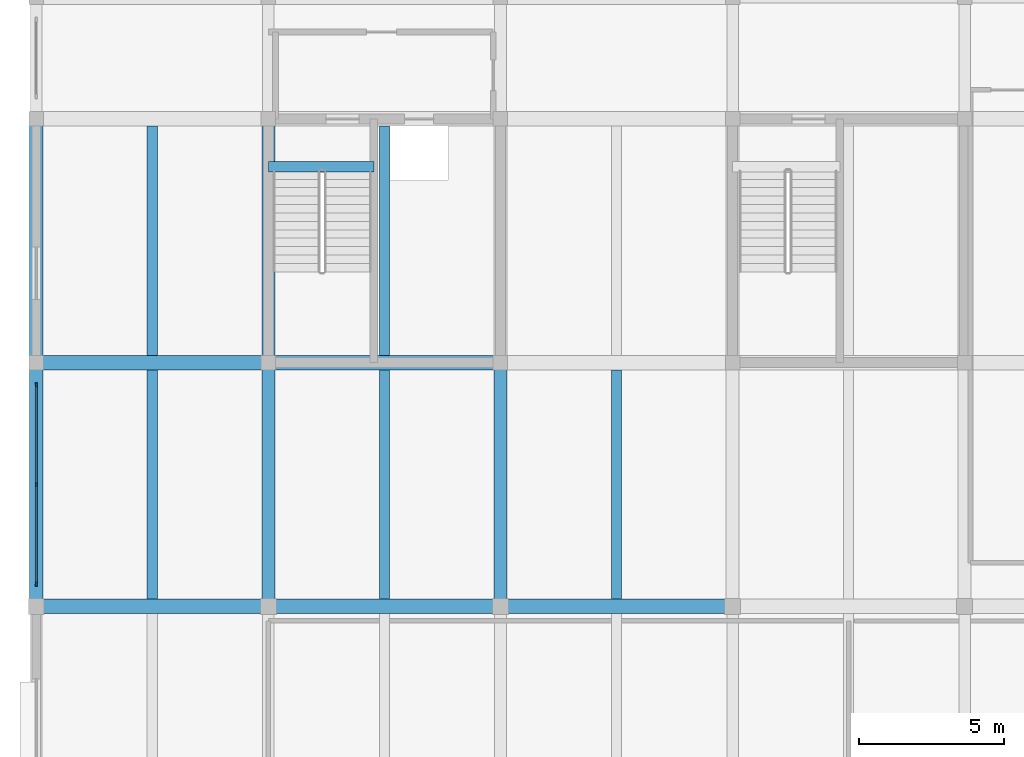
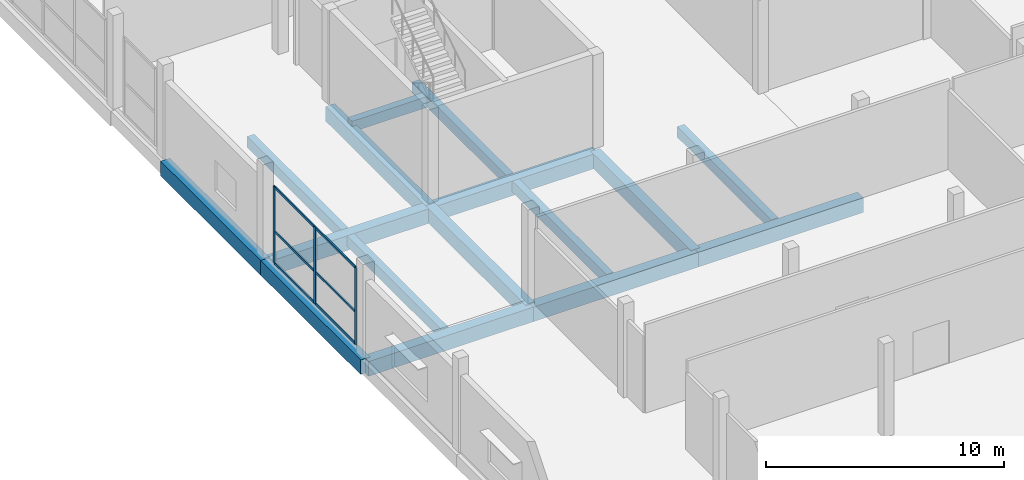
# One storey, part 11 of 47: 16 beams, 9 members, 1 element without a shape of its own.
"""IFC4 building model written with IfcOpenShell, lengths in metres."""

from ifc_helpers import new_model, si_unit, direction, frame, origin, origin_2d, place, context, subcontext, project, spatial, rectangle, extrude, material, material_profile, profile_set, type_object, element, aggregate, save


model = new_model("IFC4")

# Units and contexts
model_context = context("Model", 3, precision=1e-05, world=origin(), true_north=direction((0.0, 1.0)))
body_context = subcontext(model_context, "Body", "Model", "MODEL_VIEW")
ifc_project = project(units=[si_unit("LENGTHUNIT", "METRE"), si_unit("AREAUNIT", "SQUARE_METRE"), si_unit("VOLUMEUNIT", "CUBIC_METRE"), si_unit("PLANEANGLEUNIT", "RADIAN"), si_unit("MASSUNIT", "GRAM", prefix="KILO")], contexts=[model_context])

# Site, building, storey
site_placement = place(None, origin())
site = spatial("IfcSite", under=ifc_project, at=site_placement, CompositionType="ELEMENT")
building_placement = place(site_placement, origin())
building = spatial("IfcBuilding", under=site, at=building_placement, Name="Vharandega Faculty of Natural Sciences", CompositionType="ELEMENT")
storey_placement = place(building_placement, frame((0.0, 0.0, 5.39990234375)))
storey = spatial("IfcBuildingStorey", under=building, at=storey_placement, Name="L01", CompositionType="ELEMENT", Elevation=5.39990234375)

# Curtain wall, members
ifc_material_1 = material(Name="Aluminium and solar-control glass curtain wall", Category="aluminium")
curtain_wall_type = type_object("IfcCurtainWallType", Name="Unitised Curtain Wall System CW-14", PredefinedType="NOTDEFINED", material=ifc_material_1)
curtain_wall_placement = place(storey_placement, origin())
curtain_wall = element("IfcCurtainWall", 1, at=curtain_wall_placement, inside=storey, type_object=curtain_wall_type, Name="Curtain Wall CW-L01-041", PredefinedType="NOTDEFINED")
ifc_material_2 = material(Name="Thermally broken aluminium 6063-T6", Category="aluminium")
ifc_material_profile_1 = material_profile(ifc_material_2, rectangle(XDim=0.06005859375, YDim=0.159912109375, at=origin_2d()), Name="ALU 60x160")
ifc_profile_set_1 = profile_set([ifc_material_profile_1], Name="Thermally broken aluminium 6063-T6")
member_type_1 = type_object("IfcMemberType", Name="CW Mullion 60x160", PredefinedType="MULLION", material=ifc_profile_set_1)
member_1_placement = place(storey_placement, frame((0.0, 64.77001953125, 0.0), z_axis=(0.0, 0.0, 1.0), x_axis=(-1.0, 0.0, 0.0)))
member_1 = element("IfcMember", 2, at=member_1_placement, type_object=member_type_1, Name="CW-14 mullion 1", PredefinedType="MULLION", context=body_context, shape_type="SweptSolid", body=[
    extrude(rectangle(XDim=0.06005859375, YDim=0.159912109375, at=origin_2d()), origin(), (0.0, 0.0, 1.0), 3.940185546875),
])
member_2_placement = place(storey_placement, frame((0.0, 68.199951171875, 0.0), z_axis=(0.0, 0.0, 1.0), x_axis=(-1.0, 0.0, 0.0)))
member_2 = element("IfcMember", 3, at=member_2_placement, type_object=member_type_1, Name="CW-14 mullion 2", PredefinedType="MULLION", context=body_context, shape_type="SweptSolid", body=[
    extrude(rectangle(XDim=0.06005859375, YDim=0.159912109375, at=origin_2d()), origin(), (0.0, 0.0, 1.0), 3.940185546875),
])
member_3_placement = place(storey_placement, frame((0.0, 71.6298828125, 0.0), z_axis=(0.0, 0.0, 1.0), x_axis=(-1.0, 0.0, 0.0)))
member_3 = element("IfcMember", 4, at=member_3_placement, type_object=member_type_1, Name="CW-14 mullion 3", PredefinedType="MULLION", context=body_context, shape_type="SweptSolid", body=[
    extrude(rectangle(XDim=0.06005859375, YDim=0.159912109375, at=origin_2d()), origin(), (0.0, 0.0, 1.0), 3.940185546875),
])
ifc_material_3 = material(Name="Thermally broken aluminium 6063-T6", Category="aluminium")
ifc_material_profile_2 = material_profile(ifc_material_3, rectangle(XDim=0.06005859375, YDim=0.1201171875, at=origin_2d()), Name="ALU 60x120")
ifc_profile_set_2 = profile_set([ifc_material_profile_2], Name="Thermally broken aluminium 6063-T6")
member_type_2 = type_object("IfcMemberType", Name="CW Transom 60x120", PredefinedType="USERDEFINED", material=ifc_profile_set_2)
member_4_placement = place(storey_placement, frame((0.0, 64.800048828125, 0.030029296875), z_axis=(0.0, 1.0, 0.0), x_axis=(-1.0, 0.0, 0.0)))
member_4 = element("IfcMember", 5, at=member_4_placement, type_object=member_type_2, Name="CW-14 transom 1.1", ObjectType="TRANSOM", PredefinedType="USERDEFINED", context=body_context, shape_type="SweptSolid", body=[
    extrude(rectangle(XDim=0.06005859375, YDim=0.1201171875, at=origin_2d()), origin(), (0.0, 0.0, 1.0), 3.369873046875),
])
member_5_placement = place(storey_placement, frame((0.0, 64.800048828125, 1.65478515625), z_axis=(0.0, 1.0, 0.0), x_axis=(-1.0, 0.0, 0.0)))
member_5 = element("IfcMember", 6, at=member_5_placement, type_object=member_type_2, Name="CW-14 transom 1.2", ObjectType="TRANSOM", PredefinedType="USERDEFINED", context=body_context, shape_type="SweptSolid", body=[
    extrude(rectangle(XDim=0.06005859375, YDim=0.1201171875, at=origin_2d()), origin(), (0.0, 0.0, 1.0), 3.369873046875),
])
member_6_placement = place(storey_placement, frame((0.0, 64.800048828125, 3.91015625), z_axis=(0.0, 1.0, 0.0), x_axis=(-1.0, 0.0, 0.0)))
member_6 = element("IfcMember", 7, at=member_6_placement, type_object=member_type_2, Name="CW-14 transom 1.3", ObjectType="TRANSOM", PredefinedType="USERDEFINED", context=body_context, shape_type="SweptSolid", body=[
    extrude(rectangle(XDim=0.06005859375, YDim=0.1201171875, at=origin_2d()), origin(), (0.0, 0.0, 1.0), 3.369873046875),
])
member_7_placement = place(storey_placement, frame((0.0, 68.22998046875, 0.030029296875), z_axis=(0.0, 1.0, 0.0), x_axis=(-1.0, 0.0, 0.0)))
member_7 = element("IfcMember", 8, at=member_7_placement, type_object=member_type_2, Name="CW-14 transom 2.1", ObjectType="TRANSOM", PredefinedType="USERDEFINED", context=body_context, shape_type="SweptSolid", body=[
    extrude(rectangle(XDim=0.06005859375, YDim=0.1201171875, at=origin_2d()), origin(), (0.0, 0.0, 1.0), 3.3701171875),
])
member_8_placement = place(storey_placement, frame((0.0, 68.22998046875, 1.65478515625), z_axis=(0.0, 1.0, 0.0), x_axis=(-1.0, 0.0, 0.0)))
member_8 = element("IfcMember", 9, at=member_8_placement, type_object=member_type_2, Name="CW-14 transom 2.2", ObjectType="TRANSOM", PredefinedType="USERDEFINED", context=body_context, shape_type="SweptSolid", body=[
    extrude(rectangle(XDim=0.06005859375, YDim=0.1201171875, at=origin_2d()), origin(), (0.0, 0.0, 1.0), 3.3701171875),
])
member_9_placement = place(storey_placement, frame((0.0, 68.22998046875, 3.91015625), z_axis=(0.0, 1.0, 0.0), x_axis=(-1.0, 0.0, 0.0)))
member_9 = element("IfcMember", 10, at=member_9_placement, type_object=member_type_2, Name="CW-14 transom 2.3", ObjectType="TRANSOM", PredefinedType="USERDEFINED", context=body_context, shape_type="SweptSolid", body=[
    extrude(rectangle(XDim=0.06005859375, YDim=0.1201171875, at=origin_2d()), origin(), (0.0, 0.0, 1.0), 3.3701171875),
])
aggregate(curtain_wall, [member_1, member_2, member_3, member_4, member_5, member_6, member_7, member_8, member_9])

# Beams
ifc_material_4 = material(Name="Concrete C40/50", Category="concrete")
ifc_material_profile_3 = material_profile(ifc_material_4, rectangle(XDim=0.5, YDim=0.75, at=origin_2d()), Name="RC 500x750")
ifc_profile_set_3 = profile_set([ifc_material_profile_3], Name="Concrete C40/50")
beam_type_1 = type_object("IfcBeamType", Name="Podium Primary Beam 500x750", PredefinedType="BEAM", material=ifc_profile_set_3)
for number, where, z_axis, x_axis, name in (
    (11, (0.0, 64.0, -0.65478515625), (1.0, 0.0, 0.0), (0.0, 1.0, 0.0), "Beam L01 J/1-2"),
    (12, (8.0, 64.0, -0.65478515625), (1.0, 0.0, 0.0), (0.0, 1.0, 0.0), "Beam L01 J/2-3"),
    (13, (16.0, 64.0, -0.65478515625), (1.0, 0.0, 0.0), (0.0, 1.0, 0.0), "Beam L01 J/3-4"),
    (14, (0.0, 72.39990234375, -0.635009765625), (1.0, 0.0, 0.0), (0.0, 1.0, 0.0), "Beam L01 K/1-2"),
    (15, (8.0, 72.39990234375, -0.635009765625), (1.0, 0.0, 0.0), (0.0, 1.0, 0.0), "Beam L01 K/2-3"),
):
    element("IfcBeam", number, at=place(storey_placement, frame(where, z_axis=z_axis, x_axis=x_axis)), inside=storey, type_object=beam_type_1, Name=name, PredefinedType="BEAM", context=body_context, shape_type="SweptSolid", body=[
        extrude(rectangle(XDim=0.5, YDim=0.75, at=origin_2d()), origin(), (0.0, 0.0, 1.0), 8.0),
    ])
ifc_material_5 = material(Name="Concrete C40/50", Category="concrete")
ifc_material_profile_4 = material_profile(ifc_material_5, rectangle(XDim=0.35009765625, YDim=0.550048828125, at=origin_2d()), Name="RC 350x550")
ifc_profile_set_4 = profile_set([ifc_material_profile_4], Name="Concrete C40/50")
beam_type_2 = type_object("IfcBeamType", Name="Podium Secondary Beam 350x550", PredefinedType="JOIST", material=ifc_profile_set_4)
beam_1_placement = place(storey_placement, frame((4.0, 64.25, -0.534912109375), z_axis=(0.0, 1.0, 0.0), x_axis=(-1.0, 0.0, 0.0)))
element("IfcBeam", 16, at=beam_1_placement, inside=storey, type_object=beam_type_2, Name="Secondary Joist L01 1-2/J-K", PredefinedType="JOIST", context=body_context, shape_type="SweptSolid", body=[
    extrude(rectangle(XDim=0.35009765625, YDim=0.550048828125, at=origin_2d()), origin(), (0.0, 0.0, 1.0), 7.89990234375),
])
beam_2_placement = place(storey_placement, frame((4.0, 72.64990234375, -0.534912109375), z_axis=(0.0, 1.0, 0.0), x_axis=(-1.0, 0.0, 0.0)))
element("IfcBeam", 17, at=beam_2_placement, inside=storey, type_object=beam_type_2, Name="Secondary Joist L01 1-2/K-L", PredefinedType="JOIST", context=body_context, shape_type="SweptSolid", body=[
    extrude(rectangle(XDim=0.35009765625, YDim=0.550048828125, at=origin_2d()), origin(), (0.0, 0.0, 1.0), 7.900146484375),
])
beam_3_placement = place(storey_placement, frame((12.0, 64.25, -0.534912109375), z_axis=(0.0, 1.0, 0.0), x_axis=(-1.0, 0.0, 0.0)))
element("IfcBeam", 18, at=beam_3_placement, inside=storey, type_object=beam_type_2, Name="Secondary Joist L01 2-3/J-K", PredefinedType="JOIST", context=body_context, shape_type="SweptSolid", body=[
    extrude(rectangle(XDim=0.35009765625, YDim=0.550048828125, at=origin_2d()), origin(), (0.0, 0.0, 1.0), 7.89990234375),
])
beam_4_placement = place(storey_placement, frame((12.0, 72.64990234375, -0.534912109375), z_axis=(0.0, 1.0, 0.0), x_axis=(-1.0, 0.0, 0.0)))
element("IfcBeam", 19, at=beam_4_placement, inside=storey, type_object=beam_type_2, Name="Secondary Joist L01 2-3/K-L", PredefinedType="JOIST", context=body_context, shape_type="SweptSolid", body=[
    extrude(rectangle(XDim=0.35009765625, YDim=0.550048828125, at=origin_2d()), origin(), (0.0, 0.0, 1.0), 7.900146484375),
])
beam_5_placement = place(storey_placement, frame((20.0, 64.25, -0.534912109375), z_axis=(0.0, 1.0, 0.0), x_axis=(-1.0, 0.0, 0.0)))
element("IfcBeam", 20, at=beam_5_placement, inside=storey, type_object=beam_type_2, Name="Secondary Joist L01 3-4/J-K", PredefinedType="JOIST", context=body_context, shape_type="SweptSolid", body=[
    extrude(rectangle(XDim=0.35009765625, YDim=0.550048828125, at=origin_2d()), origin(), (0.0, 0.0, 1.0), 7.89990234375),
])
ifc_material_6 = material(Name="Concrete C40/50", Category="concrete")
ifc_material_profile_5 = material_profile(ifc_material_6, rectangle(XDim=0.449951171875, YDim=0.75, at=origin_2d()), Name="RC 450x750")
ifc_profile_set_5 = profile_set([ifc_material_profile_5], Name="Concrete C40/50")
beam_type_3 = type_object("IfcBeamType", Name="Podium Spine Beam 450x750", PredefinedType="BEAM", material=ifc_profile_set_5)
beam_6_placement = place(storey_placement, frame((0.0, 64.0, -0.635009765625), z_axis=(0.0, 1.0, 0.0), x_axis=(-1.0, 0.0, 0.0)))
element("IfcBeam", 21, at=beam_6_placement, inside=storey, type_object=beam_type_3, Name="Beam L01 1/J-K", PredefinedType="BEAM", context=body_context, shape_type="SweptSolid", body=[
    extrude(rectangle(XDim=0.449951171875, YDim=0.75, at=origin_2d()), origin(), (0.0, 0.0, 1.0), 8.39990234375),
])
beam_7_placement = place(storey_placement, frame((0.0, 72.39990234375, -0.635009765625), z_axis=(0.0, 1.0, 0.0), x_axis=(-1.0, 0.0, 0.0)))
element("IfcBeam", 22, at=beam_7_placement, inside=storey, type_object=beam_type_3, Name="Beam L01 1/K-L", PredefinedType="BEAM", context=body_context, shape_type="SweptSolid", body=[
    extrude(rectangle(XDim=0.449951171875, YDim=0.75, at=origin_2d()), origin(), (0.0, 0.0, 1.0), 8.400146484375),
])
beam_8_placement = place(storey_placement, frame((8.0, 64.0, -0.635009765625), z_axis=(0.0, 1.0, 0.0), x_axis=(-1.0, 0.0, 0.0)))
element("IfcBeam", 23, at=beam_8_placement, inside=storey, type_object=beam_type_3, Name="Beam L01 2/J-K", PredefinedType="BEAM", context=body_context, shape_type="SweptSolid", body=[
    extrude(rectangle(XDim=0.449951171875, YDim=0.75, at=origin_2d()), origin(), (0.0, 0.0, 1.0), 8.39990234375),
])
beam_9_placement = place(storey_placement, frame((8.0, 72.39990234375, -0.635009765625), z_axis=(0.0, 1.0, 0.0), x_axis=(-1.0, 0.0, 0.0)))
element("IfcBeam", 24, at=beam_9_placement, inside=storey, type_object=beam_type_3, Name="Beam L01 2/K-L", PredefinedType="BEAM", context=body_context, shape_type="SweptSolid", body=[
    extrude(rectangle(XDim=0.449951171875, YDim=0.75, at=origin_2d()), origin(), (0.0, 0.0, 1.0), 8.400146484375),
])
beam_10_placement = place(storey_placement, frame((16.0, 64.0, -0.635009765625), z_axis=(0.0, 1.0, 0.0), x_axis=(-1.0, 0.0, 0.0)))
element("IfcBeam", 25, at=beam_10_placement, inside=storey, type_object=beam_type_3, Name="Beam L01 3/J-K", PredefinedType="BEAM", context=body_context, shape_type="SweptSolid", body=[
    extrude(rectangle(XDim=0.449951171875, YDim=0.75, at=origin_2d()), origin(), (0.0, 0.0, 1.0), 8.39990234375),
])
ifc_material_7 = material(Name="Concrete C40/50", Category="concrete")
ifc_material_profile_6 = material_profile(ifc_material_7, rectangle(XDim=0.35009765625, YDim=0.550048828125, at=origin_2d()), Name="RC 350x550")
ifc_profile_set_6 = profile_set([ifc_material_profile_6], Name="Concrete C40/50")
beam_type_4 = type_object("IfcBeamType", Name="Stair Header Trimmer Beam 350x550", PredefinedType="BEAM", material=ifc_profile_set_6)
beam_11_placement = place(storey_placement, frame((8.0, 79.14990234375, -0.27490234375), z_axis=(1.0, 0.0, 0.0), x_axis=(0.0, 1.0, 0.0)))
element("IfcBeam", 26, at=beam_11_placement, inside=storey, type_object=beam_type_4, Name="Stair Landing Trimmer Beam C4 L01", PredefinedType="BEAM", context=body_context, shape_type="SweptSolid", body=[
    extrude(rectangle(XDim=0.35009765625, YDim=0.550048828125, at=origin_2d()), origin(), (0.0, 0.0, 1.0), 3.639892578125),
])

save(model, "model.ifc")
